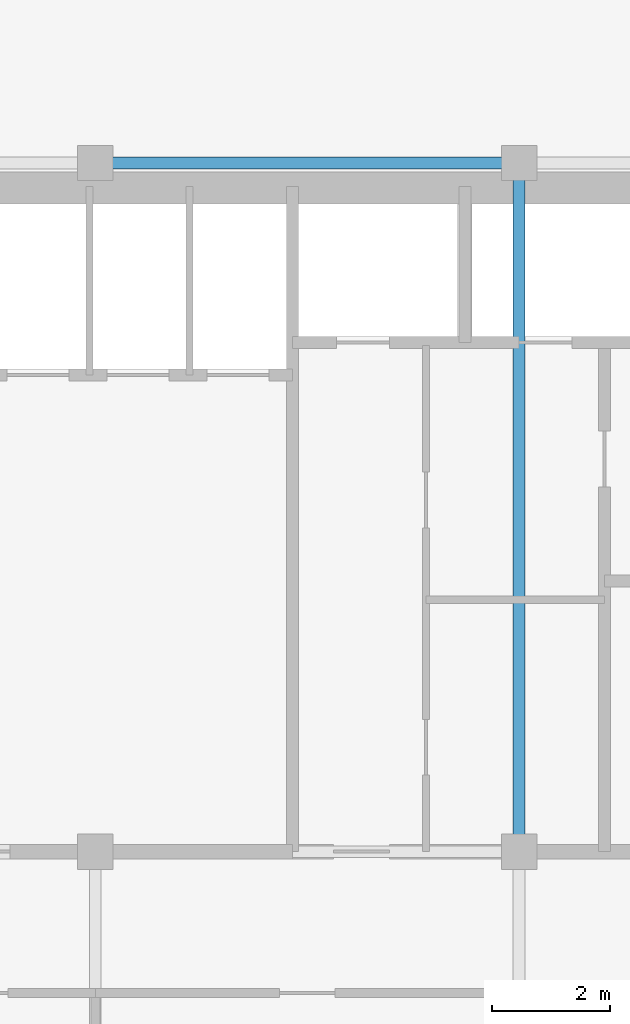
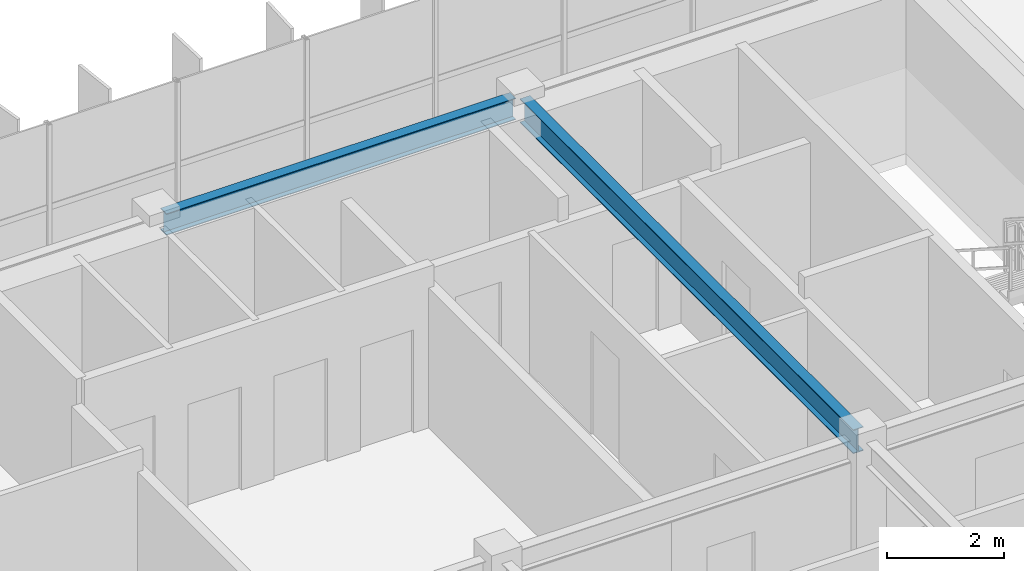
# One storey, part 10 of 23: 2 beams.
"""IFC4 building model written with IfcOpenShell, lengths in metres."""

from ifc_helpers import new_model, si_unit, direction, frame, origin, origin_2d, place, context, subcontext, project, spatial, i_section, extrude, source, transform, mapped, material, material_profile, profile_set, type_object, element, save


model = new_model("IFC4")

# Units and contexts
model_context = context("Model", 3, precision=1e-05, world=origin(), true_north=direction((0.0, 1.0)))
body_context = subcontext(model_context, "Body", "Model", "MODEL_VIEW")
ifc_project = project(units=[si_unit("LENGTHUNIT", "METRE"), si_unit("AREAUNIT", "SQUARE_METRE"), si_unit("VOLUMEUNIT", "CUBIC_METRE"), si_unit("PLANEANGLEUNIT", "RADIAN"), si_unit("MASSUNIT", "GRAM", prefix="KILO")], contexts=[model_context])

# Site, building, storey
site_placement = place(None, origin())
site = spatial("IfcSite", under=ifc_project, at=site_placement, CompositionType="ELEMENT")
building_placement = place(site_placement, origin())
building = spatial("IfcBuilding", under=site, at=building_placement, Name="Trelvane Seafront Commons", CompositionType="ELEMENT")
storey_placement = place(building_placement, frame((0.0, 0.0, 266.699951171875)))
storey = spatial("IfcBuildingStorey", under=building, at=storey_placement, Name="L69", CompositionType="ELEMENT", Elevation=266.699951171875)

# Beams
ifc_material = material(Name="Steel SM355 (S355)", Category="steel")
ifc_material_profile_1 = material_profile(ifc_material, i_section(OverallWidth=0.199951171875, OverallDepth=0.5, WebThickness=0.010009765625, FlangeThickness=0.01611328125, at=origin_2d()), Name="H-500x200x10x16")
ifc_profile_set_1 = profile_set([ifc_material_profile_1], Name="Steel SM355 (S355)")
beam_type_1 = type_object("IfcBeamType", Name="STR-BM-H500", PredefinedType="BEAM", material=ifc_profile_set_1)
shared_shape_1 = source(origin(), body_context, "Body", "SweptSolid", [
    extrude(i_section(OverallWidth=0.199951171875, OverallDepth=0.5, WebThickness=0.010009765625, FlangeThickness=0.01611328125, at=origin_2d()), origin(), (0.0, 0.0, 1.0), 11.39990234375),
])
beam_1_placement = place(storey_placement, frame((51.0, 33.550048828125, 3.1201171875), z_axis=(0.0, 1.0, 0.0), x_axis=(-1.0, 0.0, 0.0)))
element("IfcBeam", 1, at=beam_1_placement, inside=storey, type_object=beam_type_1, Name="L69 Primary Girder G-46", PredefinedType="BEAM", context=body_context, shape_type="MappedRepresentation", body=[
    mapped(shared_shape_1, transform((0.0, 0.0, 0.0), x_axis=(1.0, 0.0, 0.0), y_axis=(0.0, 1.0, 0.0), z_axis=(0.0, 0.0, 1.0), scale=1.0)),
])
ifc_material_profile_2 = material_profile(ifc_material, i_section(OverallWidth=0.199951171875, OverallDepth=0.449951171875, WebThickness=0.009033203125, FlangeThickness=0.013916015625, at=origin_2d()), Name="H-450x200x9x14")
ifc_profile_set_2 = profile_set([ifc_material_profile_2], Name="Steel SM355 (S355)")
beam_type_2 = type_object("IfcBeamType", Name="STR-SPD-H450", PredefinedType="SPANDREL", material=ifc_profile_set_2)
shared_shape_2 = source(origin(), body_context, "Body", "SweptSolid", [
    extrude(i_section(OverallWidth=0.199951171875, OverallDepth=0.449951171875, WebThickness=0.009033203125, FlangeThickness=0.013916015625, at=origin_2d()), origin(), (0.0, 0.0, 1.0), 6.900146484375),
])
beam_2_placement = place(storey_placement, frame((43.949951171875, 45.10009765625, 3.14501953125), z_axis=(1.0, 0.0, 0.0), x_axis=(0.0, 1.0, 0.0)))
element("IfcBeam", 2, at=beam_2_placement, inside=storey, type_object=beam_type_2, Name="L69 Primary Girder G-26", PredefinedType="SPANDREL", context=body_context, shape_type="MappedRepresentation", body=[
    mapped(shared_shape_2, transform((0.0, 0.0, 0.0), x_axis=(1.0, 0.0, 0.0), y_axis=(0.0, 1.0, 0.0), z_axis=(0.0, 0.0, 1.0), scale=1.0)),
])

save(model, "model.ifc")
